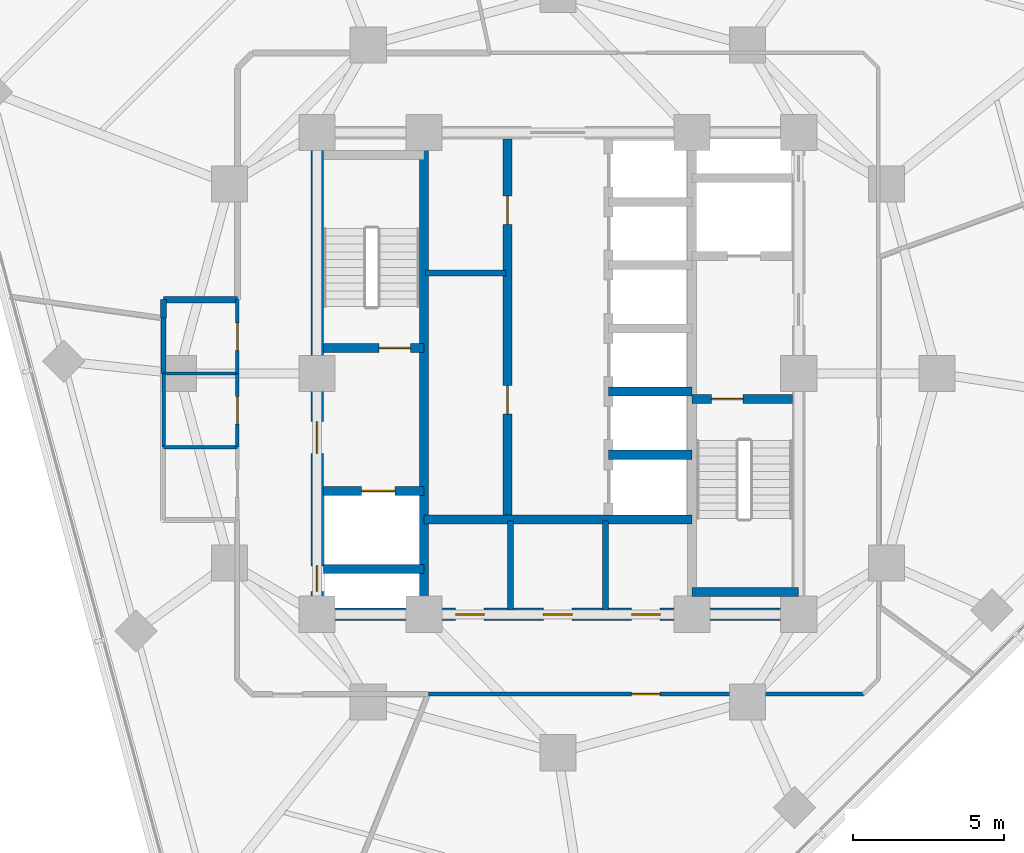
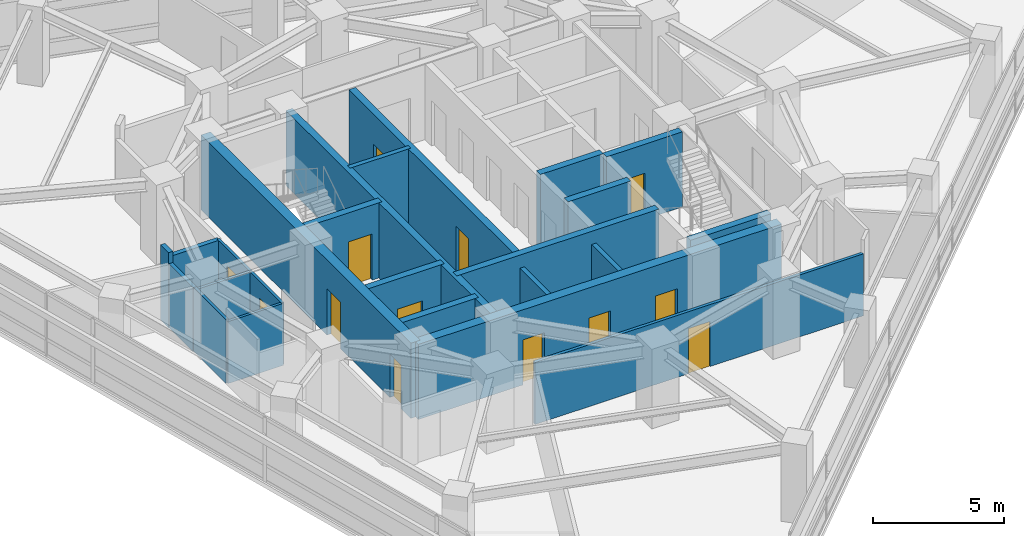
# One storey, part 7 of 13: 24 walls, 13 doors, 13 openings.
"""IFC4 building model written with IfcOpenShell, lengths in metres."""

from ifc_helpers import new_model, si_unit, direction, frame, frame_2d, origin, place, context, subcontext, project, spatial, rectangle, extrude, material, layer, layer_set, type_object, element, fill, save


model = new_model("IFC4")

# Units and contexts
model_context = context("Model", 3, precision=1e-05, world=origin(), true_north=direction((0.0, 1.0)))
body_context = subcontext(model_context, "Body", "Model", "MODEL_VIEW")
ifc_project = project(units=[si_unit("LENGTHUNIT", "METRE"), si_unit("AREAUNIT", "SQUARE_METRE"), si_unit("VOLUMEUNIT", "CUBIC_METRE"), si_unit("PLANEANGLEUNIT", "RADIAN"), si_unit("MASSUNIT", "GRAM", prefix="KILO")], contexts=[model_context])

# Site, building, storey
site_placement = place(None, origin())
site = spatial("IfcSite", under=ifc_project, at=site_placement, CompositionType="ELEMENT")
building_placement = place(site_placement, origin())
building = spatial("IfcBuilding", under=site, at=building_placement, Name="Terralouvre Media Tower", CompositionType="ELEMENT")
storey_placement = place(building_placement, frame((0.0, 0.0, 202.699951171875)))
storey = spatial("IfcBuildingStorey", under=building, at=storey_placement, Name="L52", CompositionType="ELEMENT", Elevation=202.699951171875)

# Wall
ifc_material_1 = material(Name="Concrete C50/60", Category="concrete")
ifc_layer_1 = layer(ifc_material_1, 0.300048828125, Name="Core Internal Shaft Wall CW-300")
ifc_layer_set_1 = layer_set([ifc_layer_1], Name="Concrete C50/60")
wall_type_1 = type_object("IfcWallType", Name="Core Internal Shaft Wall CW-300", PredefinedType="SHEAR", material=ifc_layer_set_1)
wall_1_placement = place(storey_placement, frame((-4.449951171875, -7.7900390625, 0.0), z_axis=(0.0, 0.0, 1.0), x_axis=(0.0, 1.0, 0.0)))
element("IfcWall", 1, at=wall_1_placement, inside=storey, type_object=wall_type_1, Name="L52 Core Shaft Wall SPW", PredefinedType="SHEAR", context=body_context, shape_type="SweptSolid", body=[
    extrude(rectangle(XDim=15.580078125, YDim=0.300048828125, at=frame_2d((7.7900390625, 0.0))), origin(), (0.0, 0.0, 1.0), 3.5),
])

# Wall, opening, door
wall_2_placement = place(storey_placement, frame((-7.7900390625, 0.85009765625, 0.0), z_axis=(0.0, 0.0, 1.0), x_axis=(1.0, 0.0, 0.0)))
wall_2 = element("IfcWall", 2, at=wall_2_placement, inside=storey, type_object=wall_type_1, Name="L52 Core Shaft Wall ST1D", PredefinedType="SHEAR", context=body_context, shape_type="SweptSolid", body=[
    extrude(rectangle(XDim=3.340087890625, YDim=0.300048828125, at=frame_2d((1.669921875, 0.0))), origin(), (0.0, 0.0, 1.0), 3.5),
])
opening_1_placement = place(wall_2_placement, frame((1.85009765625, 0.0, 0.0)))
opening_1 = element("IfcOpeningElement", 3, at=opening_1_placement, cuts=wall_2, Name="Opening FD-01-105X215", PredefinedType="OPENING", context=body_context, shape_type="SweptSolid", body=[
    extrude(rectangle(XDim=1.050048828125, YDim=2.14990234375, at=frame_2d((0.52490234375, 1.074951171875))), frame((0.0, 0.159912109375, 0.0), z_axis=(0.0, -1.0, 0.0), x_axis=(1.0, 0.0, 0.0)), (0.0, 0.0, 1.0), 0.320068359375),
])
ifc_material_2 = material(Name="Galvanised steel fire-resisting leaf", Category="steel")
door_type_1 = type_object("IfcDoorType", Name="Stair and Firefighting Lobby Fire Door FD-01 (1050x2150)", OperationType="NOTDEFINED", PredefinedType="DOOR", material=ifc_material_2)
door_1_placement = place(opening_1_placement, origin())
door_1 = element("IfcDoor", 4, at=door_1_placement, inside=storey, type_object=door_type_1, Name="L52 ST-01 Exit Stair Door", OperationType="SINGLE_SWING_LEFT", OverallHeight=2.14990234375, OverallWidth=1.050048828125, PredefinedType="DOOR", context=body_context, shape_type="SweptSolid", body=[
    extrude(rectangle(XDim=1.050048828125, YDim=2.14990234375, at=frame_2d((0.52490234375, 1.074951171875))), frame((0.0, 0.02490234375, 0.0), z_axis=(0.0, -1.0, 0.0), x_axis=(1.0, 0.0, 0.0)), (0.0, 0.0, 1.0), 0.050048828125),
])
fill(opening_1, door_1)

wall_3_placement = place(storey_placement, frame((4.449951171875, -0.85009765625, 0.0), z_axis=(0.0, 0.0, 1.0), x_axis=(1.0, 0.0, 0.0)))
wall_3 = element("IfcWall", 5, at=wall_3_placement, inside=storey, type_object=wall_type_1, Name="L52 Core Shaft Wall ST2D", PredefinedType="SHEAR", context=body_context, shape_type="SweptSolid", body=[
    extrude(rectangle(XDim=3.340087890625, YDim=0.300048828125, at=frame_2d((1.669921875, 0.0))), origin(), (0.0, 0.0, 1.0), 3.5),
])
opening_2_placement = place(wall_3_placement, frame((0.64990234375, 0.0, 0.0)))
opening_2 = element("IfcOpeningElement", 6, at=opening_2_placement, cuts=wall_3, Name="Opening FD-01-105X215", PredefinedType="OPENING", context=body_context, shape_type="SweptSolid", body=[
    extrude(rectangle(XDim=1.050048828125, YDim=2.14990234375, at=frame_2d((0.52490234375, 1.074951171875))), frame((0.0, 0.159912109375, 0.0), z_axis=(0.0, -1.0, 0.0), x_axis=(1.0, 0.0, 0.0)), (0.0, 0.0, 1.0), 0.320068359375),
])
door_2_placement = place(opening_2_placement, origin())
door_2 = element("IfcDoor", 7, at=door_2_placement, inside=storey, type_object=door_type_1, Name="L52 ST-02 Exit Stair Door", OperationType="SINGLE_SWING_RIGHT", OverallHeight=2.14990234375, OverallWidth=1.050048828125, PredefinedType="DOOR", context=body_context, shape_type="SweptSolid", body=[
    extrude(rectangle(XDim=1.050048828125, YDim=2.14990234375, at=frame_2d((0.52490234375, 1.074951171875))), frame((0.0, 0.02490234375, 0.0), z_axis=(0.0, -1.0, 0.0), x_axis=(1.0, 0.0, 0.0)), (0.0, 0.0, 1.0), 0.050048828125),
])
fill(opening_2, door_2)

# Wall
wall_4_placement = place(storey_placement, frame((4.449951171875, -7.260009765625, 0.0), z_axis=(0.0, 0.0, 1.0), x_axis=(1.0, 0.0, 0.0)))
element("IfcWall", 8, at=wall_4_placement, inside=storey, type_object=wall_type_1, Name="L52 Core Shaft Wall ST2F", PredefinedType="SHEAR", context=body_context, shape_type="SweptSolid", body=[
    extrude(rectangle(XDim=3.550048828125, YDim=0.300048828125, at=frame_2d((1.77490234375, 0.0))), origin(), (0.0, 0.0, 1.0), 3.5),
])

# Wall, opening, door
wall_5_placement = place(storey_placement, frame((-7.7900390625, -3.89990234375, 0.0), z_axis=(0.0, 0.0, 1.0), x_axis=(1.0, 0.0, 0.0)))
wall_5 = element("IfcWall", 9, at=wall_5_placement, inside=storey, type_object=wall_type_1, Name="L52 Core Shaft Wall FF1N", PredefinedType="SHEAR", context=body_context, shape_type="SweptSolid", body=[
    extrude(rectangle(XDim=3.340087890625, YDim=0.300048828125, at=frame_2d((1.669921875, 0.0))), origin(), (0.0, 0.0, 1.0), 3.5),
])
opening_3_placement = place(wall_5_placement, frame((1.27001953125, 0.0, 0.0)))
opening_3 = element("IfcOpeningElement", 10, at=opening_3_placement, cuts=wall_5, Name="Opening LD-FF", PredefinedType="OPENING", context=body_context, shape_type="SweptSolid", body=[
    extrude(rectangle(XDim=1.10009765625, YDim=2.10009765625, at=frame_2d((0.550048828125, 1.050048828125))), frame((0.0, 0.159912109375, 0.0), z_axis=(0.0, -1.0, 0.0), x_axis=(1.0, 0.0, 0.0)), (0.0, 0.0, 1.0), 0.320068359375),
])
ifc_material_3 = material(Name="Stainless steel 316 handrail and balustrade", Category="steel")
door_type_2 = type_object("IfcDoorType", Name="Firefighting Lift Sliding Landing Door LD-FF", OperationType="SLIDING_TO_LEFT", PredefinedType="DOOR", material=ifc_material_3)
door_3_placement = place(opening_3_placement, origin())
door_3 = element("IfcDoor", 11, at=door_3_placement, inside=storey, type_object=door_type_2, Name="L52 Firefighting Lift FFL-01 Landing Door", OperationType="SLIDING_TO_LEFT", OverallHeight=2.10009765625, OverallWidth=1.10009765625, PredefinedType="DOOR", context=body_context, shape_type="SweptSolid", body=[
    extrude(rectangle(XDim=1.10009765625, YDim=2.10009765625, at=frame_2d((0.550048828125, 1.050048828125))), frame((0.0, 0.02490234375, 0.0), z_axis=(0.0, -1.0, 0.0), x_axis=(1.0, 0.0, 0.0)), (0.0, 0.0, 1.0), 0.050048828125),
])
fill(opening_3, door_3)

# Walls
wall_6_placement = place(storey_placement, frame((-7.7900390625, -6.5, 0.0), z_axis=(0.0, 0.0, 1.0), x_axis=(1.0, 0.0, 0.0)))
element("IfcWall", 12, at=wall_6_placement, inside=storey, type_object=wall_type_1, Name="L52 Core Shaft Wall FF1S", PredefinedType="SHEAR", context=body_context, shape_type="SweptSolid", body=[
    extrude(rectangle(XDim=3.340087890625, YDim=0.300048828125, at=frame_2d((1.669921875, 0.0))), origin(), (0.0, 0.0, 1.0), 3.5),
])
wall_7_placement = place(storey_placement, frame((-4.449951171875, -4.85009765625, 0.0), z_axis=(0.0, 0.0, 1.0), x_axis=(1.0, 0.0, 0.0)))
element("IfcWall", 13, at=wall_7_placement, inside=storey, type_object=wall_type_1, Name="L52 Core Shaft Wall CSBN", PredefinedType="SHEAR", context=body_context, shape_type="SweptSolid", body=[
    extrude(rectangle(XDim=8.89990234375, YDim=0.300048828125, at=frame_2d((4.449951171875, 0.0))), origin(), (0.0, 0.0, 1.0), 3.5),
])

# Wall, openings, doors
wall_8_placement = place(storey_placement, frame((-1.679931640625, -4.85009765625, 0.0), z_axis=(0.0, 0.0, 1.0), x_axis=(0.0, 1.0, 0.0)))
wall_8 = element("IfcWall", 14, at=wall_8_placement, inside=storey, type_object=wall_type_1, Name="L52 Core Shaft Wall LBW", PredefinedType="SHEAR", context=body_context, shape_type="SweptSolid", body=[
    extrude(rectangle(XDim=12.64013671875, YDim=0.300048828125, at=frame_2d((6.320068359375, 0.0))), origin(), (0.0, 0.0, 1.0), 3.5),
])
opening_4_placement = place(wall_8_placement, frame((3.5, 0.0, 0.0)))
opening_4 = element("IfcOpeningElement", 15, at=opening_4_placement, cuts=wall_8, Name="Opening FD-04-95X210", PredefinedType="OPENING", context=body_context, shape_type="SweptSolid", body=[
    extrude(rectangle(XDim=0.949951171875, YDim=2.10009765625, at=frame_2d((0.47509765625, 1.050048828125))), frame((0.0, 0.159912109375, 0.0), z_axis=(0.0, -1.0, 0.0), x_axis=(1.0, 0.0, 0.0)), (0.0, 0.0, 1.0), 0.320068359375),
])
opening_5_placement = place(wall_8_placement, frame((9.800048828125, 0.0, 0.0)))
opening_5 = element("IfcOpeningElement", 16, at=opening_5_placement, cuts=wall_8, Name="Opening FD-02-95X210", PredefinedType="OPENING", context=body_context, shape_type="SweptSolid", body=[
    extrude(rectangle(XDim=0.949951171875, YDim=2.10009765625, at=frame_2d((0.47509765625, 1.050048828125))), frame((0.0, 0.159912109375, 0.0), z_axis=(0.0, -1.0, 0.0), x_axis=(1.0, 0.0, 0.0)), (0.0, 0.0, 1.0), 0.320068359375),
])
ifc_material_4 = material(Name="Galvanised steel fire-resisting leaf", Category="steel")
door_type_3 = type_object("IfcDoorType", Name="Core Store and Service Fire Door FD-04 (950x2100)", OperationType="NOTDEFINED", PredefinedType="DOOR", material=ifc_material_4)
door_4_placement = place(opening_4_placement, origin())
door_4 = element("IfcDoor", 17, at=door_4_placement, inside=storey, type_object=door_type_3, Name="L52 Core Archive Store Door", OperationType="SINGLE_SWING_LEFT", OverallHeight=2.10009765625, OverallWidth=0.949951171875, PredefinedType="DOOR", context=body_context, shape_type="SweptSolid", body=[
    extrude(rectangle(XDim=0.949951171875, YDim=2.10009765625, at=frame_2d((0.47509765625, 1.050048828125))), frame((0.0, 0.02490234375, 0.0), z_axis=(0.0, -1.0, 0.0), x_axis=(1.0, 0.0, 0.0)), (0.0, 0.0, 1.0), 0.050048828125),
])
fill(opening_4, door_4)
ifc_material_5 = material(Name="Galvanised steel fire-resisting leaf", Category="steel")
door_type_4 = type_object("IfcDoorType", Name="Plant and Riser Fire Door FD-02 (950x2100)", OperationType="NOTDEFINED", PredefinedType="DOOR", material=ifc_material_5)
door_5_placement = place(opening_5_placement, origin())
door_5 = element("IfcDoor", 18, at=door_5_placement, inside=storey, type_object=door_type_4, Name="L52 Core AV Repeater Plant Door", OperationType="SINGLE_SWING_RIGHT", OverallHeight=2.10009765625, OverallWidth=0.949951171875, PredefinedType="DOOR", context=body_context, shape_type="SweptSolid", body=[
    extrude(rectangle(XDim=0.949951171875, YDim=2.10009765625, at=frame_2d((0.47509765625, 1.050048828125))), frame((0.0, 0.02490234375, 0.0), z_axis=(0.0, -1.0, 0.0), x_axis=(1.0, 0.0, 0.0)), (0.0, 0.0, 1.0), 0.050048828125),
])
fill(opening_5, door_5)

# Walls
for number, where, z_axis, x_axis, name in (
    (19, (1.679931640625, -2.699951171875, 0.0), (0.0, 0.0, 1.0), (1.0, 0.0, 0.0), "L52 Core Shaft Wall PLHD1"),
    (20, (1.679931640625, -0.60009765625, 0.0), (0.0, 0.0, 1.0), (1.0, 0.0, 0.0), "L52 Core Shaft Wall PLHD2"),
):
    element("IfcWall", number, at=place(storey_placement, frame(where, z_axis=z_axis, x_axis=x_axis)), inside=storey, type_object=wall_type_1, Name=name, PredefinedType="SHEAR", context=body_context, shape_type="SweptSolid", body=[
        extrude(rectangle(XDim=2.77001953125, YDim=0.300048828125, at=frame_2d((1.385009765625, 0.0))), origin(), (0.0, 0.0, 1.0), 3.5),
    ])

# Wall, openings, doors
ifc_material_6 = material(Name="Concrete C60/75", Category="concrete")
ifc_layer_2 = layer(ifc_material_6, 0.419921875, Name="Core Reinforced Concrete Shear Wall CW-420")
ifc_layer_set_2 = layer_set([ifc_layer_2], Name="Concrete C60/75")
wall_type_2 = type_object("IfcWallType", Name="Core Reinforced Concrete Shear Wall CW-420", PredefinedType="SHEAR", material=ifc_layer_set_2)
wall_9_placement = place(storey_placement, frame((-8.0, -8.0, 0.0), z_axis=(0.0, 0.0, 1.0), x_axis=(0.0, 1.0, 0.0)))
wall_9 = element("IfcWall", 21, at=wall_9_placement, inside=storey, type_object=wall_type_2, Name="L52 W Core Shear Wall", PredefinedType="SHEAR", context=body_context, shape_type="SweptSolid", body=[
    extrude(rectangle(XDim=16.0, YDim=0.419921875, at=frame_2d((8.0, 0.0))), origin(), (0.0, 0.0, 1.0), 3.5),
])
opening_6_placement = place(wall_9_placement, frame((0.76123046875, 0.0, 0.0)))
opening_6 = element("IfcOpeningElement", 22, at=opening_6_placement, cuts=wall_9, Name="Opening TD-R1", PredefinedType="OPENING", context=body_context, shape_type="SweptSolid", body=[
    extrude(rectangle(XDim=0.85009765625, YDim=2.02001953125, at=frame_2d((0.425048828125, 1.010009765625))), frame((0.0, 0.219970703125, 0.0), z_axis=(0.0, -1.0, 0.0), x_axis=(1.0, 0.0, 0.0)), (0.0, 0.0, 1.0), 0.43994140625),
])
opening_7_placement = place(wall_9_placement, frame((5.35009765625, 0.0, 0.0)))
opening_7 = element("IfcOpeningElement", 23, at=opening_7_placement, cuts=wall_9, Name="Opening FD-01-105X215", PredefinedType="OPENING", context=body_context, shape_type="SweptSolid", body=[
    extrude(rectangle(XDim=1.050048828125, YDim=2.14990234375, at=frame_2d((0.52490234375, 1.074951171875))), frame((0.0, 0.219970703125, 0.0), z_axis=(0.0, -1.0, 0.0), x_axis=(1.0, 0.0, 0.0)), (0.0, 0.0, 1.0), 0.43994140625),
])
ifc_material_7 = material(Name="Galvanised steel fire-resisting leaf", Category="steel")
door_type_5 = type_object("IfcDoorType", Name="Riser Inspection Access Trapdoor TD-R1", OperationType="NOTDEFINED", PredefinedType="TRAPDOOR", material=ifc_material_7)
door_6_placement = place(opening_6_placement, origin())
door_6 = element("IfcDoor", 24, at=door_6_placement, inside=storey, type_object=door_type_5, Name="L52 Wet Riser Access Trapdoor", OperationType="SINGLE_SWING_LEFT", OverallHeight=2.02001953125, OverallWidth=0.85009765625, PredefinedType="TRAPDOOR", context=body_context, shape_type="SweptSolid", body=[
    extrude(rectangle(XDim=0.85009765625, YDim=2.02001953125, at=frame_2d((0.425048828125, 1.010009765625))), frame((0.0, 0.02490234375, 0.0), z_axis=(0.0, -1.0, 0.0), x_axis=(1.0, 0.0, 0.0)), (0.0, 0.0, 1.0), 0.050048828125),
])
fill(opening_6, door_6)
door_7_placement = place(opening_7_placement, origin())
door_7 = element("IfcDoor", 25, at=door_7_placement, inside=storey, type_object=door_type_1, Name="L52 West Firefighting Lobby Entry Door", OperationType="SINGLE_SWING_RIGHT", OverallHeight=2.14990234375, OverallWidth=1.050048828125, PredefinedType="DOOR", context=body_context, shape_type="SweptSolid", body=[
    extrude(rectangle(XDim=1.050048828125, YDim=2.14990234375, at=frame_2d((0.52490234375, 1.074951171875))), frame((0.0, 0.02490234375, 0.0), z_axis=(0.0, -1.0, 0.0), x_axis=(1.0, 0.0, 0.0)), (0.0, 0.0, 1.0), 0.050048828125),
])
fill(opening_7, door_7)

wall_10_placement = place(storey_placement, frame((-8.0, -8.0, 0.0), z_axis=(0.0, 0.0, 1.0), x_axis=(1.0, 0.0, 0.0)))
wall_10 = element("IfcWall", 26, at=wall_10_placement, inside=storey, type_object=wall_type_2, Name="L52 S Core Shear Wall", PredefinedType="SHEAR", context=body_context, shape_type="SweptSolid", body=[
    extrude(rectangle(XDim=16.0, YDim=0.419921875, at=frame_2d((8.0, 0.0))), origin(), (0.0, 0.0, 1.0), 3.5),
])
opening_8_placement = place(wall_10_placement, frame((4.60009765625, 0.0, 0.0)))
opening_8 = element("IfcOpeningElement", 27, at=opening_8_placement, cuts=wall_10, Name="Opening FD-02-95X210", PredefinedType="OPENING", context=body_context, shape_type="SweptSolid", body=[
    extrude(rectangle(XDim=0.949951171875, YDim=2.10009765625, at=frame_2d((0.47509765625, 1.050048828125))), frame((0.0, 0.219970703125, 0.0), z_axis=(0.0, -1.0, 0.0), x_axis=(1.0, 0.0, 0.0)), (0.0, 0.0, 1.0), 0.43994140625),
])
opening_9_placement = place(wall_10_placement, frame((7.52001953125, 0.0, 0.0)))
opening_9 = element("IfcOpeningElement", 28, at=opening_9_placement, cuts=wall_10, Name="Opening FD-02-95X210", PredefinedType="OPENING", context=body_context, shape_type="SweptSolid", body=[
    extrude(rectangle(XDim=0.949951171875, YDim=2.10009765625, at=frame_2d((0.47509765625, 1.050048828125))), frame((0.0, 0.219970703125, 0.0), z_axis=(0.0, -1.0, 0.0), x_axis=(1.0, 0.0, 0.0)), (0.0, 0.0, 1.0), 0.43994140625),
])
opening_10_placement = place(wall_10_placement, frame((10.449951171875, 0.0, 0.0)))
opening_10 = element("IfcOpeningElement", 29, at=opening_10_placement, cuts=wall_10, Name="Opening FD-02-95X210", PredefinedType="OPENING", context=body_context, shape_type="SweptSolid", body=[
    extrude(rectangle(XDim=0.949951171875, YDim=2.10009765625, at=frame_2d((0.47509765625, 1.050048828125))), frame((0.0, 0.219970703125, 0.0), z_axis=(0.0, -1.0, 0.0), x_axis=(1.0, 0.0, 0.0)), (0.0, 0.0, 1.0), 0.43994140625),
])
door_8_placement = place(opening_8_placement, origin())
door_8 = element("IfcDoor", 30, at=door_8_placement, inside=storey, type_object=door_type_4, Name="L52 Core Janitor Store Door", OperationType="SINGLE_SWING_LEFT", OverallHeight=2.10009765625, OverallWidth=0.949951171875, PredefinedType="DOOR", context=body_context, shape_type="SweptSolid", body=[
    extrude(rectangle(XDim=0.949951171875, YDim=2.10009765625, at=frame_2d((0.47509765625, 1.050048828125))), frame((0.0, 0.02490234375, 0.0), z_axis=(0.0, -1.0, 0.0), x_axis=(1.0, 0.0, 0.0)), (0.0, 0.0, 1.0), 0.050048828125),
])
fill(opening_8, door_8)
door_9_placement = place(opening_9_placement, origin())
door_9 = element("IfcDoor", 31, at=door_9_placement, inside=storey, type_object=door_type_4, Name="L52 Core Linen Store Door", OperationType="SINGLE_SWING_RIGHT", OverallHeight=2.10009765625, OverallWidth=0.949951171875, PredefinedType="DOOR", context=body_context, shape_type="SweptSolid", body=[
    extrude(rectangle(XDim=0.949951171875, YDim=2.10009765625, at=frame_2d((0.47509765625, 1.050048828125))), frame((0.0, 0.02490234375, 0.0), z_axis=(0.0, -1.0, 0.0), x_axis=(1.0, 0.0, 0.0)), (0.0, 0.0, 1.0), 0.050048828125),
])
fill(opening_9, door_9)
door_10_placement = place(opening_10_placement, origin())
door_10 = element("IfcDoor", 32, at=door_10_placement, inside=storey, type_object=door_type_4, Name="L52 Core Metering Plant Door", OperationType="SINGLE_SWING_LEFT", OverallHeight=2.10009765625, OverallWidth=0.949951171875, PredefinedType="DOOR", context=body_context, shape_type="SweptSolid", body=[
    extrude(rectangle(XDim=0.949951171875, YDim=2.10009765625, at=frame_2d((0.47509765625, 1.050048828125))), frame((0.0, 0.02490234375, 0.0), z_axis=(0.0, -1.0, 0.0), x_axis=(1.0, 0.0, 0.0)), (0.0, 0.0, 1.0), 0.050048828125),
])
fill(opening_10, door_10)

# Walls
ifc_material_8 = material(Name="Fire-rated gypsum board drywall partition")
ifc_layer_3 = layer(ifc_material_8, 0.199951171875, Name="Fire-Rated Shaft and Lobby Partition FW-200")
ifc_layer_set_3 = layer_set([ifc_layer_3], Name="Fire-rated gypsum board drywall partition")
wall_type_3 = type_object("IfcWallType", Name="Fire-Rated Shaft and Lobby Partition FW-200", PredefinedType="SOLIDWALL", material=ifc_layer_set_3)
for number, where, z_axis, x_axis, name in (
    (33, (-1.580078125, -7.85009765625, 0.0), (0.0, 0.0, 1.0), (0.0, 1.0, 0.0), "L52 Core Service Bay Partition 1"),
    (34, (1.580078125, -7.85009765625, 0.0), (0.0, 0.0, 1.0), (0.0, 1.0, 0.0), "L52 Core Service Bay Partition 2"),
):
    element("IfcWall", number, at=place(storey_placement, frame(where, z_axis=z_axis, x_axis=x_axis)), inside=storey, type_object=wall_type_3, Name=name, PredefinedType="SOLIDWALL", context=body_context, shape_type="SweptSolid", body=[
        extrude(rectangle(XDim=2.9501953125, YDim=0.199951171875, at=frame_2d((1.47509765625, 0.0))), origin(), (0.0, 0.0, 1.0), 2.885009765625),
    ])
wall_11_placement = place(storey_placement, frame((-4.39990234375, 3.340087890625, 0.0), z_axis=(0.0, 0.0, 1.0), x_axis=(1.0, 0.0, 0.0)))
element("IfcWall", 35, at=wall_11_placement, inside=storey, type_object=wall_type_3, Name="L52 Core West Sub-Partition 1", PredefinedType="SOLIDWALL", context=body_context, shape_type="SweptSolid", body=[
    extrude(rectangle(XDim=2.679931640625, YDim=0.199951171875, at=frame_2d((1.33984375, 0.0))), origin(), (0.0, 0.0, 1.0), 3.5),
])
wall_12_placement = place(storey_placement, frame((-13.10009765625, 1.841064453125, 0.0), z_axis=(0.0, 0.0, 1.0), x_axis=(0.0, 1.0, 0.0)))
element("IfcWall", 36, at=wall_12_placement, inside=storey, type_object=wall_type_3, Name="L52 Interior Partition 028", PredefinedType="SOLIDWALL", context=body_context, shape_type="SweptSolid", body=[
    extrude(rectangle(XDim=0.60888671875, YDim=0.199951171875, at=frame_2d((0.304443359375, 0.0))), origin(), (0.0, 0.0, 1.0), 3.5),
])
wall_13_placement = place(storey_placement, frame((-13.10009765625, 2.449951171875, 0.0), z_axis=(0.0, 0.0, 1.0), x_axis=(1.0, 0.0, 0.0)))
element("IfcWall", 37, at=wall_13_placement, inside=storey, type_object=wall_type_3, Name="L52 Interior Partition 029", PredefinedType="SOLIDWALL", context=body_context, shape_type="SweptSolid", body=[
    extrude(rectangle(XDim=2.4501953125, YDim=0.199951171875, at=frame_2d((1.22509765625, 0.0))), origin(), (0.0, 0.0, 1.0), 2.885009765625),
])

# Wall, opening, door
ifc_material_9 = material(Name="Fire-rated gypsum board drywall partition")
ifc_layer_4 = layer(ifc_material_9, 0.135009765625, Name="Newsroom Acoustic Partition PT-135")
ifc_layer_set_4 = layer_set([ifc_layer_4], Name="Fire-rated gypsum board drywall partition")
wall_type_4 = type_object("IfcWallType", Name="Newsroom Acoustic Partition PT-135", PredefinedType="PARTITIONING", material=ifc_layer_set_4)
wall_14_placement = place(storey_placement, frame((-4.302978515625, -10.64990234375, 0.0), z_axis=(0.0, 0.0, 1.0), x_axis=(1.0, 0.0, 0.0)))
wall_14 = element("IfcWall", 38, at=wall_14_placement, inside=storey, type_object=wall_type_4, Name="L52 Interior Partition 006", PredefinedType="PARTITIONING", context=body_context, shape_type="SweptSolid", body=[
    extrude(rectangle(XDim=14.452880859375, YDim=0.135009765625, at=frame_2d((7.2265625, 0.0))), origin(), (0.0, 0.0, 1.0), 2.885009765625),
])
opening_11_placement = place(wall_14_placement, frame((6.75146484375, 0.0, 0.0)))
opening_11 = element("IfcOpeningElement", 39, at=opening_11_placement, cuts=wall_14, Name="Opening ID-02-95X210", PredefinedType="OPENING", context=body_context, shape_type="SweptSolid", body=[
    extrude(rectangle(XDim=0.949951171875, YDim=2.10009765625, at=frame_2d((0.47509765625, 1.050048828125))), frame((0.0, 0.077392578125, 0.0), z_axis=(0.0, -1.0, 0.0), x_axis=(1.0, 0.0, 0.0)), (0.0, 0.0, 1.0), 0.155029296875),
])
ifc_material_10 = material(Name="Engineered hardwood acoustic timber leaf", Category="wood")
door_type_6 = type_object("IfcDoorType", Name="Office and Meeting Room Door ID-02 (950x2100)", OperationType="NOTDEFINED", PredefinedType="DOOR", material=ifc_material_10)
door_11_placement = place(opening_11_placement, origin())
door_11 = element("IfcDoor", 40, at=door_11_placement, inside=storey, type_object=door_type_6, Name="L52 Correspondent Club Lounge 2 Door", OperationType="SINGLE_SWING_LEFT", OverallHeight=2.10009765625, OverallWidth=0.949951171875, PredefinedType="DOOR", context=body_context, shape_type="SweptSolid", body=[
    extrude(rectangle(XDim=0.949951171875, YDim=2.10009765625, at=frame_2d((0.47509765625, 1.050048828125))), frame((0.0, 0.02490234375, 0.0), z_axis=(0.0, -1.0, 0.0), x_axis=(1.0, 0.0, 0.0)), (0.0, 0.0, 1.0), 0.050048828125),
])
fill(opening_11, door_11)

ifc_material_11 = material(Name="Fire-rated gypsum board drywall partition")
ifc_layer_5 = layer(ifc_material_11, 0.114990234375, Name="Restroom and Pantry Partition PT-115")
ifc_layer_set_5 = layer_set([ifc_layer_5], Name="Fire-rated gypsum board drywall partition")
wall_type_5 = type_object("IfcWallType", Name="Restroom and Pantry Partition PT-115", PredefinedType="PARTITIONING", material=ifc_layer_set_5)
wall_15_placement = place(storey_placement, frame((-10.64990234375, 0.0, 0.0), z_axis=(0.0, 0.0, 1.0), x_axis=(0.0, -1.0, 0.0)))
wall_15 = element("IfcWall", 41, at=wall_15_placement, inside=storey, type_object=wall_type_5, Name="L52 Interior Partition 001", PredefinedType="PARTITIONING", context=body_context, shape_type="SweptSolid", body=[
    extrude(rectangle(XDim=2.449951171875, YDim=0.114990234375, at=frame_2d((1.22509765625, 0.0))), origin(), (0.0, 0.0, 1.0), 2.885009765625),
])
opening_12_placement = place(wall_15_placement, frame((0.764892578125, 0.0, 0.0)))
opening_12 = element("IfcOpeningElement", 42, at=opening_12_placement, cuts=wall_15, Name="Opening ID-03-92X210", PredefinedType="OPENING", context=body_context, shape_type="SweptSolid", body=[
    extrude(rectangle(XDim=0.919921875, YDim=2.10009765625, at=frame_2d((0.4599609375, 1.050048828125))), frame((0.0, 0.0673828125, 0.0), z_axis=(0.0, -1.0, 0.0), x_axis=(1.0, 0.0, 0.0)), (0.0, 0.0, 1.0), 0.135009765625),
])
ifc_material_12 = material(Name="Engineered hardwood acoustic timber leaf", Category="wood")
door_type_7 = type_object("IfcDoorType", Name="Accessible Restroom and Suite Door ID-03 (920x2100)", OperationType="NOTDEFINED", PredefinedType="DOOR", material=ifc_material_12)
door_12_placement = place(opening_12_placement, origin())
door_12 = element("IfcDoor", 43, at=door_12_placement, inside=storey, type_object=door_type_7, Name="L52 Female Restroom WC Door", OperationType="SINGLE_SWING_RIGHT", OverallHeight=2.10009765625, OverallWidth=0.919921875, PredefinedType="DOOR", context=body_context, shape_type="SweptSolid", body=[
    extrude(rectangle(XDim=0.919921875, YDim=2.10009765625, at=frame_2d((0.4599609375, 1.050048828125))), frame((0.0, 0.02490234375, 0.0), z_axis=(0.0, -1.0, 0.0), x_axis=(1.0, 0.0, 0.0)), (0.0, 0.0, 1.0), 0.050048828125),
])
fill(opening_12, door_12)

wall_16_placement = place(storey_placement, frame((-10.64990234375, 2.449951171875, 0.0), z_axis=(0.0, 0.0, 1.0), x_axis=(0.0, -1.0, 0.0)))
wall_16 = element("IfcWall", 44, at=wall_16_placement, inside=storey, type_object=wall_type_5, Name="L52 Interior Partition 016", PredefinedType="PARTITIONING", context=body_context, shape_type="SweptSolid", body=[
    extrude(rectangle(XDim=2.449951171875, YDim=0.114990234375, at=frame_2d((1.22509765625, 0.0))), origin(), (0.0, 0.0, 1.0), 2.885009765625),
])
opening_13_placement = place(wall_16_placement, frame((0.764892578125, 0.0, 0.0)))
opening_13 = element("IfcOpeningElement", 45, at=opening_13_placement, cuts=wall_16, Name="Opening ID-03-92X210", PredefinedType="OPENING", context=body_context, shape_type="SweptSolid", body=[
    extrude(rectangle(XDim=0.919921875, YDim=2.10009765625, at=frame_2d((0.4599609375, 1.050048828125))), frame((0.0, 0.0673828125, 0.0), z_axis=(0.0, -1.0, 0.0), x_axis=(1.0, 0.0, 0.0)), (0.0, 0.0, 1.0), 0.135009765625),
])
door_13_placement = place(opening_13_placement, origin())
door_13 = element("IfcDoor", 46, at=door_13_placement, inside=storey, type_object=door_type_7, Name="L52 Accessible Unisex WC Door", OperationType="SINGLE_SWING_RIGHT", OverallHeight=2.10009765625, OverallWidth=0.919921875, PredefinedType="DOOR", context=body_context, shape_type="SweptSolid", body=[
    extrude(rectangle(XDim=0.919921875, YDim=2.10009765625, at=frame_2d((0.4599609375, 1.050048828125))), frame((0.0, 0.02490234375, 0.0), z_axis=(0.0, -1.0, 0.0), x_axis=(1.0, 0.0, 0.0)), (0.0, 0.0, 1.0), 0.050048828125),
])
fill(opening_13, door_13)

# Walls
wall_17_placement = place(storey_placement, frame((-13.10009765625, -2.449951171875, 0.0), z_axis=(0.0, 0.0, 1.0), x_axis=(1.0, 0.0, 0.0)))
element("IfcWall", 47, at=wall_17_placement, inside=storey, type_object=wall_type_5, Name="L52 Interior Partition 017", PredefinedType="PARTITIONING", context=body_context, shape_type="SweptSolid", body=[
    extrude(rectangle(XDim=2.4501953125, YDim=0.114990234375, at=frame_2d((1.22509765625, 0.0))), origin(), (0.0, 0.0, 1.0), 2.885009765625),
])
wall_18_placement = place(storey_placement, frame((-13.10009765625, 0.0, 0.0), z_axis=(0.0, 0.0, 1.0), x_axis=(0.0, -1.0, 0.0)))
element("IfcWall", 48, at=wall_18_placement, inside=storey, type_object=wall_type_5, Name="L52 Interior Partition 018", PredefinedType="PARTITIONING", context=body_context, shape_type="SweptSolid", body=[
    extrude(rectangle(XDim=2.449951171875, YDim=0.114990234375, at=frame_2d((1.22509765625, 0.0))), origin(), (0.0, 0.0, 1.0), 2.97509765625),
])
wall_19_placement = place(storey_placement, frame((-10.64990234375, 0.0, 0.0), z_axis=(0.0, 0.0, 1.0), x_axis=(-1.0, 0.0, 0.0)))
element("IfcWall", 49, at=wall_19_placement, inside=storey, type_object=wall_type_5, Name="L52 Interior Partition 019", PredefinedType="PARTITIONING", context=body_context, shape_type="SweptSolid", body=[
    extrude(rectangle(XDim=2.4501953125, YDim=0.114990234375, at=frame_2d((1.22509765625, 0.0))), origin(), (0.0, 0.0, 1.0), 2.885009765625),
])
ifc_material_13 = material(Name="Fire-rated gypsum board drywall partition")
ifc_layer_6 = layer(ifc_material_13, 0.159912109375, Name="Studio Acoustic Rated Partition PT-160")
ifc_layer_set_6 = layer_set([ifc_layer_6], Name="Fire-rated gypsum board drywall partition")
wall_type_6 = type_object("IfcWallType", Name="Studio Acoustic Rated Partition PT-160", PredefinedType="PARTITIONING", material=ifc_layer_set_6)
wall_20_placement = place(storey_placement, frame((-13.10009765625, 0.0, 0.0), z_axis=(0.0, 0.0, 1.0), x_axis=(0.0, 1.0, 0.0)))
element("IfcWall", 50, at=wall_20_placement, inside=storey, type_object=wall_type_6, Name="L52 Interior Partition 024", PredefinedType="PARTITIONING", context=body_context, shape_type="SweptSolid", body=[
    extrude(rectangle(XDim=1.841064453125, YDim=0.159912109375, at=frame_2d((0.92041015625, 0.0))), origin(), (0.0, 0.0, 1.0), 2.97509765625),
])

save(model, "model.ifc")
